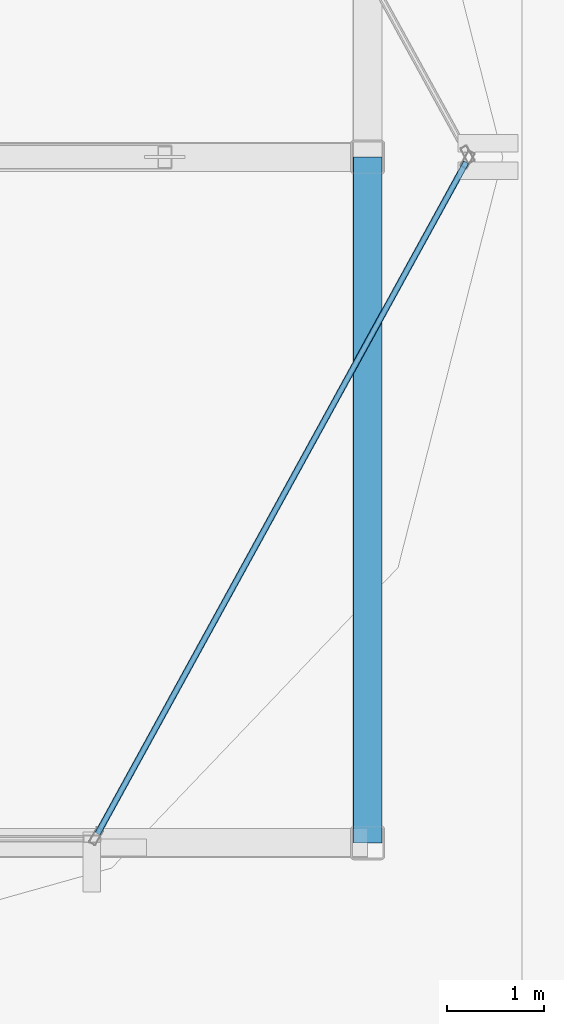
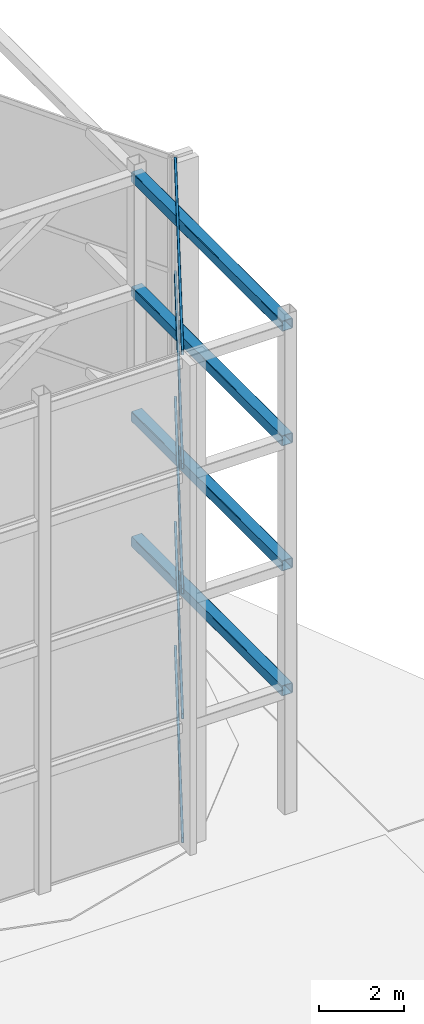
# One storey, part 13 of 24: 5 members, 4 beams, 1 element without a shape of its own.
"""IFC4 building model written with IfcOpenShell, lengths in metres."""

from ifc_helpers import new_model, si_unit, direction, frame, origin, origin_2d, place, context, subcontext, project, spatial, hollow_rectangle, extrude, material, layer, layer_set, material_profile, profile_set, type_object, element, aggregate, save


model = new_model("IFC4")

# Units and contexts
model_context = context("Model", 3, precision=1e-05, world=origin(), true_north=direction((0.0, 1.0)))
body_context = subcontext(model_context, "Body", "Model", "MODEL_VIEW")
ifc_project = project(units=[si_unit("LENGTHUNIT", "METRE"), si_unit("AREAUNIT", "SQUARE_METRE"), si_unit("VOLUMEUNIT", "CUBIC_METRE"), si_unit("PLANEANGLEUNIT", "RADIAN"), si_unit("MASSUNIT", "GRAM", prefix="KILO")], contexts=[model_context])

# Site, building, storey
site_placement = place(None, origin())
site = spatial("IfcSite", under=ifc_project, at=site_placement, CompositionType="ELEMENT")
building_placement = place(site_placement, origin())
building = spatial("IfcBuilding", under=site, at=building_placement, Name="Solvaryn Broadcast Tower", CompositionType="ELEMENT")
storey_placement = place(building_placement, frame((0.0, 0.0, 307.800048828125)))
storey = spatial("IfcBuildingStorey", under=building, at=storey_placement, Name="Roof Main", CompositionType="ELEMENT", Elevation=307.800048828125)

# Beams
ifc_material_1 = material(Name="Steel ASTM A500 Grade C", Category="steel")
ifc_material_profile_1 = material_profile(ifc_material_1, hollow_rectangle(XDim=0.300048828125, YDim=0.300048828125, WallThickness=0.01416015625, InnerFilletRadius=0.01416015625, OuterFilletRadius=0.0283203125, at=origin_2d()))
ifc_profile_set_1 = profile_set([ifc_material_profile_1], Name="Steel ASTM A500 Grade C")
beam_type = type_object("IfcBeamType", Name="BM-CROWN-RING", PredefinedType="BEAM", material=ifc_profile_set_1)
for number, where, z_axis, x_axis, name in (
    (1, (24.60009765625, 28.199951171875, 3.449951171875), (0.0, 1.0, 0.0), (-1.0, 0.0, 0.0), "Roof Main CROWN FRAME Ring Beam WT1-3"),
    (2, (24.60009765625, 28.199951171875, 7.050048828125), (0.0, 1.0, 0.0), (-1.0, 0.0, 0.0), "Roof Main CROWN FRAME Ring Beam WT2-3"),
    (3, (24.60009765625, 28.199951171875, 10.64990234375), (0.0, 1.0, 0.0), (-1.0, 0.0, 0.0), "Roof Main CROWN FRAME Ring Beam WT3-3"),
    (4, (24.60009765625, 28.199951171875, 13.949951171875), (0.0, 1.0, 0.0), (-1.0, 0.0, 0.0), "Roof Main CROWN FRAME Ring Beam WT4-3"),
):
    element("IfcBeam", number, at=place(storey_placement, frame(where, z_axis=z_axis, x_axis=x_axis)), inside=storey, type_object=beam_type, Name=name, PredefinedType="BEAM", context=body_context, shape_type="SweptSolid", body=[
        extrude(hollow_rectangle(XDim=0.300048828125, YDim=0.300048828125, WallThickness=0.01416015625, InnerFilletRadius=0.01416015625, OuterFilletRadius=0.0283203125, at=origin_2d()), origin(), (0.0, 0.0, 1.0), 7.10009765625),
    ])

# Curtain wall, members
ifc_material_2 = material(Name="Aluminium and Terracotta Unitised Curtain Wall", Category="masonry")
ifc_layer = layer(ifc_material_2, 0.2099609375)
ifc_layer_set = layer_set([ifc_layer], Name="CW-SYS6-CROWN")
curtain_wall_type = type_object("IfcCurtainWallType", Name="CW-SYS6-CROWN", PredefinedType="NOTDEFINED", material=ifc_layer_set)
curtain_wall_placement = place(storey_placement, origin())
curtain_wall = element("IfcCurtainWall", 5, at=curtain_wall_placement, inside=storey, type_object=curtain_wall_type, Name="Roof Main Split-Top Crown Curtain Wall W6", PredefinedType="NOTDEFINED")
ifc_material_3 = material(Name="Anodised Aluminium 6063-T6", Category="aluminium")
ifc_material_profile_2 = material_profile(ifc_material_3, hollow_rectangle(XDim=0.06494140625, YDim=0.14990234375, WallThickness=0.00390625, InnerFilletRadius=0.00390625, OuterFilletRadius=0.008056640625, at=origin_2d()))
ifc_profile_set_2 = profile_set([ifc_material_profile_2], Name="Anodised Aluminium 6063-T6")
member_type = type_object("IfcMemberType", Name="CW-TRN-150", PredefinedType="USERDEFINED", material=ifc_profile_set_2)
member_1_placement = place(storey_placement, frame((21.803955078125, 28.294677734375, 0.030029296875), z_axis=(0.481259275952, 0.876578296166, 0.0), x_axis=(-0.876578296166, 0.481259275952, 0.0)))
member_1 = element("IfcMember", 6, at=member_1_placement, type_object=member_type, Name="CWS6 transom 1.1", ObjectType="TRANSOM", PredefinedType="USERDEFINED", context=body_context, shape_type="SweptSolid", body=[
    extrude(hollow_rectangle(XDim=0.06494140625, YDim=0.14990234375, WallThickness=0.00390625, InnerFilletRadius=0.00390625, OuterFilletRadius=0.008056640625, at=origin_2d()), origin(), (0.0, 0.0, 1.0), 7.931640625),
])
member_2_placement = place(storey_placement, frame((21.803955078125, 28.294677734375, 3.599853515625), z_axis=(0.481259275952, 0.876578296166, 0.0), x_axis=(-0.876578296166, 0.481259275952, 0.0)))
member_2 = element("IfcMember", 7, at=member_2_placement, type_object=member_type, Name="CWS6 transom 1.2", ObjectType="TRANSOM", PredefinedType="USERDEFINED", context=body_context, shape_type="SweptSolid", body=[
    extrude(hollow_rectangle(XDim=0.06494140625, YDim=0.14990234375, WallThickness=0.00390625, InnerFilletRadius=0.00390625, OuterFilletRadius=0.008056640625, at=origin_2d()), origin(), (0.0, 0.0, 1.0), 7.931640625),
])
member_3_placement = place(storey_placement, frame((21.803955078125, 28.294677734375, 7.199951171875), z_axis=(0.481259275952, 0.876578296166, 0.0), x_axis=(-0.876578296166, 0.481259275952, 0.0)))
member_3 = element("IfcMember", 8, at=member_3_placement, type_object=member_type, Name="CWS6 transom 1.3", ObjectType="TRANSOM", PredefinedType="USERDEFINED", context=body_context, shape_type="SweptSolid", body=[
    extrude(hollow_rectangle(XDim=0.06494140625, YDim=0.14990234375, WallThickness=0.00390625, InnerFilletRadius=0.00390625, OuterFilletRadius=0.008056640625, at=origin_2d()), origin(), (0.0, 0.0, 1.0), 7.931640625),
])
member_4_placement = place(storey_placement, frame((21.803955078125, 28.294677734375, 10.800048828125), z_axis=(0.481259275952, 0.876578296166, 0.0), x_axis=(-0.876578296166, 0.481259275952, 0.0)))
member_4 = element("IfcMember", 9, at=member_4_placement, type_object=member_type, Name="CWS6 transom 1.4", ObjectType="TRANSOM", PredefinedType="USERDEFINED", context=body_context, shape_type="SweptSolid", body=[
    extrude(hollow_rectangle(XDim=0.06494140625, YDim=0.14990234375, WallThickness=0.00390625, InnerFilletRadius=0.00390625, OuterFilletRadius=0.008056640625, at=origin_2d()), origin(), (0.0, 0.0, 1.0), 7.931640625),
])
member_5_placement = place(storey_placement, frame((21.803955078125, 28.294677734375, 14.070068359375), z_axis=(0.481259275952, 0.876578296166, 0.0), x_axis=(-0.876578296166, 0.481259275952, 0.0)))
member_5 = element("IfcMember", 10, at=member_5_placement, type_object=member_type, Name="CWS6 transom 1.5", ObjectType="TRANSOM", PredefinedType="USERDEFINED", context=body_context, shape_type="SweptSolid", body=[
    extrude(hollow_rectangle(XDim=0.06494140625, YDim=0.14990234375, WallThickness=0.00390625, InnerFilletRadius=0.00390625, OuterFilletRadius=0.008056640625, at=origin_2d()), origin(), (0.0, 0.0, 1.0), 7.931640625),
])
aggregate(curtain_wall, [member_1, member_2, member_3, member_4, member_5])

save(model, "model.ifc")
